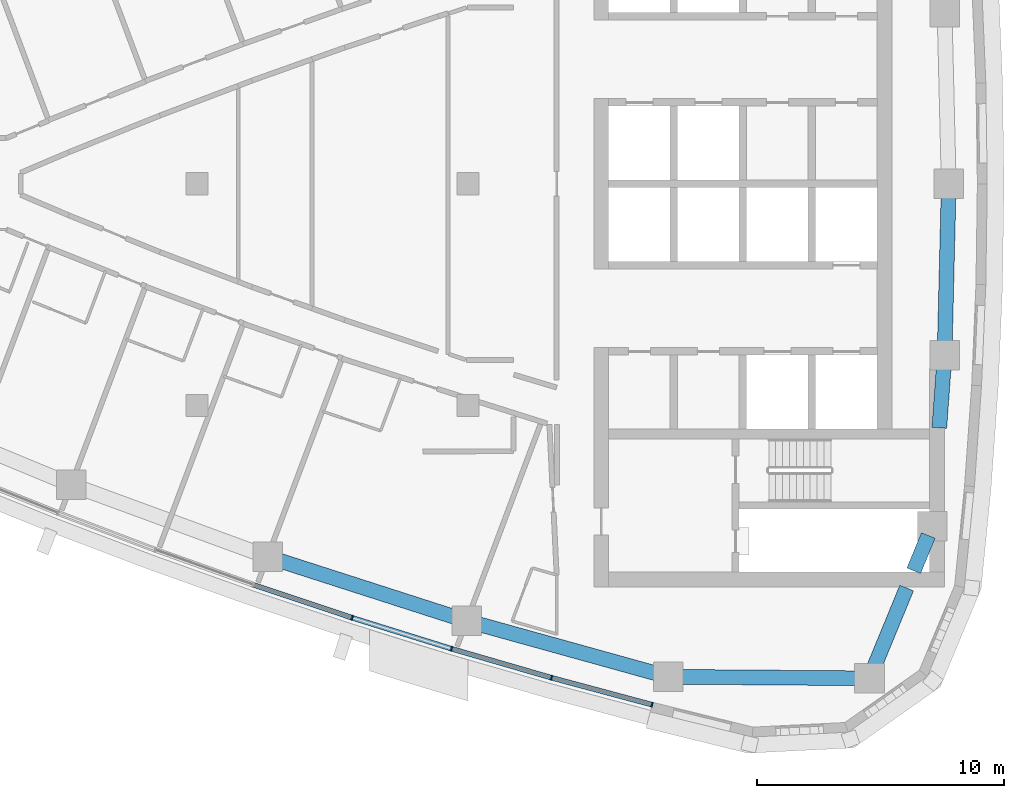
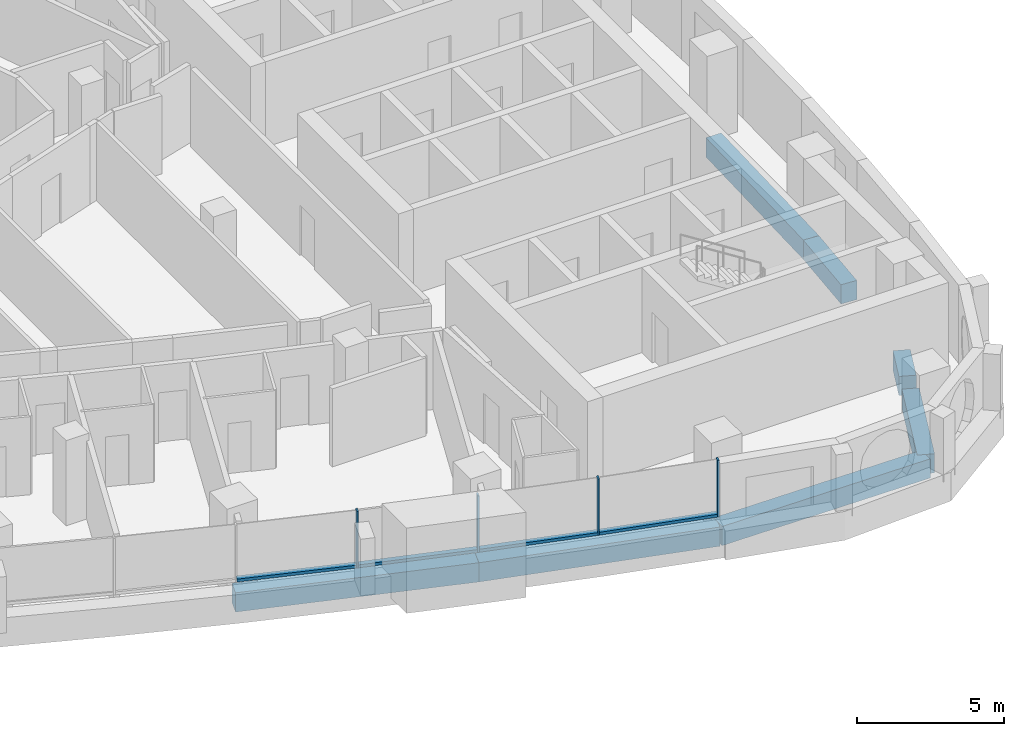
# One storey, part 4 of 16: 8 members, 7 beams, 2 elements without a shape of their own.
"""IFC4 building model written with IfcOpenShell, lengths in metres."""

import ifcopenshell
import ifcopenshell.guid

model = None  # the IFC model being written
_history = None  # IfcOwnerHistory: only IFC2X3 demands one
_inside = {}  # id of a spatial element -> (the spatial element, [elements in it])
_under = {}  # id of a project, library or spatial element -> (it, [spatial elements below it])
_declared = {}  # id of a project -> (the project, [libraries it declares])
_typed = {}  # id of a type object -> (the type object, [elements of that type])
_made_of = {}  # id of a material, layer set ... -> (it, [elements and type objects made of it])


def new_model(schema):
    """Start an empty IFC model of exactly this schema.

    Asked for "IFC4X3", IfcOpenShell would pick the latest addendum, in which some entities
    have other attributes; the version numbers below select the first issue.
    IFC2X3 requires an IfcOwnerHistory on every rooted entity: one is made here for all.
    """
    global model, _history
    if schema == "IFC4X3":
        model = ifcopenshell.file(schema_version=(4, 3, 0, 0))
    else:
        model = ifcopenshell.file(schema=schema)
    _inside.clear()
    _under.clear()
    _declared.clear()
    _typed.clear()
    _made_of.clear()
    _history = None
    if model.schema == "IFC2X3":
        org = make("IfcOrganization", Name="unknown")
        user = make(
            "IfcPersonAndOrganization",
            ThePerson=make("IfcPerson", FamilyName="unknown"),
            TheOrganization=org,
        )
        app = make(
            "IfcApplication",
            ApplicationDeveloper=org,
            Version="unknown",
            ApplicationFullName="unknown",
            ApplicationIdentifier="unknown",
        )
        _history = make(
            "IfcOwnerHistory",
            OwningUser=user,
            OwningApplication=app,
            ChangeAction="ADDED",
            CreationDate=0,
        )
    return model


def make(cls, **values):
    """One entity of the class cls with the attributes given. An attribute that is None is left unset."""
    return model.create_entity(
        cls, **{name: value for name, value in values.items() if value is not None}
    )


def rooted(cls, **values):
    """An entity with a GlobalId (a new one), such as an element, a storey or a relation."""
    return make(cls, GlobalId=ifcopenshell.guid.new(), OwnerHistory=_history, **values)


def si_unit(unit_type, name, prefix=None):
    """IfcSIUnit, for example si_unit("LENGTHUNIT", "METRE", prefix="MILLI")."""
    return make("IfcSIUnit", UnitType=unit_type, Prefix=prefix, Name=name)


def assignment(units):
    """IfcUnitAssignment: the units of a project."""
    return None if units is None else make("IfcUnitAssignment", Units=units)


def point(xyz):
    """IfcCartesianPoint."""
    return None if xyz is None else make("IfcCartesianPoint", Coordinates=xyz)


def direction(xyz):
    """IfcDirection."""
    return None if xyz is None else make("IfcDirection", DirectionRatios=xyz)


def frame(location, z_axis=None, x_axis=None):
    """IfcAxis2Placement3D, a coordinate frame: its origin and axes. An axis left out is left unset."""
    return make(
        "IfcAxis2Placement3D",
        Location=point(location),
        Axis=direction(z_axis),
        RefDirection=direction(x_axis),
    )


def frame_2d(location, x_axis=None):
    """IfcAxis2Placement2D, a coordinate frame in the plane: its origin and x axis."""
    return make(
        "IfcAxis2Placement2D", Location=point(location), RefDirection=direction(x_axis)
    )


def origin():
    """The frame at (0, 0, 0) with its axes left unset."""
    return frame((0.0, 0.0, 0.0))


def origin_2d():
    """The frame at (0, 0) in the plane with its x axis left unset."""
    return frame_2d((0.0, 0.0))


def place(relative_to, where):
    """IfcLocalPlacement: puts the frame where relative to a parent placement (None: the world)."""
    return make(
        "IfcLocalPlacement", PlacementRelTo=relative_to, RelativePlacement=where
    )


def context(
    kind, dimensions, precision=None, world=None, true_north=None, identifier=None
):
    """IfcGeometricRepresentationContext, for example the 3D "Model" context."""
    return make(
        "IfcGeometricRepresentationContext",
        ContextIdentifier=identifier,
        ContextType=kind,
        CoordinateSpaceDimension=dimensions,
        Precision=precision,
        WorldCoordinateSystem=world,
        TrueNorth=true_north,
    )


def subcontext(parent, identifier, kind, view, scale=None):
    """IfcGeometricRepresentationSubContext, for example "Body" below "Model"."""
    return make(
        "IfcGeometricRepresentationSubContext",
        ContextIdentifier=identifier,
        ContextType=kind,
        ParentContext=parent,
        TargetScale=scale,
        TargetView=view,
    )


def project(units=None, contexts=None):
    """IfcProject with its units and contexts."""
    return rooted(
        "IfcProject",
        Name="project",
        RepresentationContexts=contexts,
        UnitsInContext=assignment(units),
    )


def spatial(cls, under=None, at=None, **own):
    """A site, building, storey or space (cls), placed at a placement, below another one or the project."""
    s = rooted(cls, ObjectPlacement=at, **own)
    if under is not None:
        _under.setdefault(under.id(), (under, []))[1].append(s)
    return s


def profile(cls, at=None, kind="AREA", **sizes):
    """A parametric profile (cls). Its sizes go by their IFC names, for example OverallWidth=200.0."""
    return make(cls, ProfileType=kind, Position=at, **sizes)


def rectangle(**sizes):
    """IfcRectangleProfileDef."""
    return profile("IfcRectangleProfileDef", **sizes)


def extrude(swept, where, along, depth):
    """IfcExtrudedAreaSolid: the profile swept, set in the frame where, extruded along a direction by depth."""
    return make(
        "IfcExtrudedAreaSolid",
        SweptArea=swept,
        Position=where,
        ExtrudedDirection=direction(along),
        Depth=depth,
    )


def shape(context_of_items, identifier, shape_type, items):
    """IfcShapeRepresentation: the items that make up one representation, for example the "Body"."""
    return make(
        "IfcShapeRepresentation",
        ContextOfItems=context_of_items,
        RepresentationIdentifier=identifier,
        RepresentationType=shape_type,
        Items=items,
    )


def material(Name=None, Category=None):
    """IfcMaterial."""
    return make("IfcMaterial", Name=Name, Category=Category)


def layer(
    of_material, thickness, ventilated=None, Name=None, Category=None, Priority=None
):
    """IfcMaterialLayer: one layer of a wall or slab, of a material (None: an air gap)."""
    return make(
        "IfcMaterialLayer",
        Material=of_material,
        LayerThickness=thickness,
        IsVentilated=ventilated,
        Name=Name,
        Category=Category,
        Priority=Priority,
    )


def layer_set(layers, Name=None):
    """IfcMaterialLayerSet."""
    return make("IfcMaterialLayerSet", MaterialLayers=layers, LayerSetName=Name)


def material_profile(
    of_material, cross_section, Name=None, Category=None, Priority=None
):
    """IfcMaterialProfile: a cross section and its material."""
    return make(
        "IfcMaterialProfile",
        Name=Name,
        Material=of_material,
        Profile=cross_section,
        Priority=Priority,
        Category=Category,
    )


def profile_set(profiles, Name=None, composite=None):
    """IfcMaterialProfileSet."""
    return make(
        "IfcMaterialProfileSet",
        Name=Name,
        MaterialProfiles=profiles,
        CompositeProfile=composite,
    )


def made_of(thing, what):
    """Note that an element or type object is made of a material, layer set ...; save() writes the relation."""
    if what is not None:
        _made_of.setdefault(what.id(), (what, []))[1].append(thing)
    return thing


def type_object(cls, material=None, **own):
    """A type object (cls), such as IfcWallType, which elements share."""
    return made_of(rooted(cls, **own), material)


def element(
    cls,
    number,
    at=None,
    inside=None,
    cuts=None,
    type_object=None,
    material=None,
    context=None,
    identifier="Body",
    shape_type=None,
    held_by="IfcProductDefinitionShape",
    body=None,
    shapes=None,
    **own,
):
    """One element of the class cls, such as IfcWall. Its Tag is "e" and its number.

    at: its placement. inside: the storey or other place that contains it. cuts: it is an
    opening in that element (IfcRelVoidsElement). A single representation is given by context,
    identifier, shape_type and body (its items); several are given by shapes. held_by: the class
    of the entity that holds the representations. save() writes the other relations.
    """
    e = rooted(cls, Tag="e%d" % number, ObjectPlacement=at, **own)
    if body is not None:
        shapes = [shape(context, identifier, shape_type, body)]
    if shapes is not None:
        e.Representation = make(held_by, Representations=shapes)
    if inside is not None:
        _inside.setdefault(inside.id(), (inside, []))[1].append(e)
    if cuts is not None:
        rooted(
            "IfcRelVoidsElement", RelatingBuildingElement=cuts, RelatedOpeningElement=e
        )
    if type_object is not None:
        _typed.setdefault(type_object.id(), (type_object, []))[1].append(e)
    return made_of(e, material)


def aggregate(whole, parts):
    """IfcRelAggregates: a whole, such as a stair, and the parts it consists of."""
    return rooted("IfcRelAggregates", RelatingObject=whole, RelatedObjects=parts)


def save(model, path):
    """Write the relations noted so far, then the file.

    IfcRelAggregates (storeys below a building ...), IfcRelContainedInSpatialStructure (elements
    in a storey), IfcRelDefinesByType, IfcRelAssociatesMaterial and IfcRelDeclares: one each for
    every whole, place, type object, material and project.
    """
    for whole, parts in _under.values():
        aggregate(whole, parts)
    for where, things in _inside.values():
        rooted(
            "IfcRelContainedInSpatialStructure",
            RelatedElements=things,
            RelatingStructure=where,
        )
    for kind, things in _typed.values():
        rooted("IfcRelDefinesByType", RelatedObjects=things, RelatingType=kind)
    for what, things in _made_of.values():
        rooted("IfcRelAssociatesMaterial", RelatedObjects=things, RelatingMaterial=what)
    for by, libraries in _declared.values():
        rooted("IfcRelDeclares", RelatingContext=by, RelatedDefinitions=libraries)
    model.write(path)


model = new_model("IFC4")

# Units and contexts
model_context = context("Model", 3, precision=1e-05, world=origin(), true_north=direction((0.0, 1.0)))
body_context = subcontext(model_context, "Body", "Model", "MODEL_VIEW")
ifc_project = project(units=[si_unit("LENGTHUNIT", "METRE"), si_unit("AREAUNIT", "SQUARE_METRE"), si_unit("VOLUMEUNIT", "CUBIC_METRE"), si_unit("PLANEANGLEUNIT", "RADIAN"), si_unit("MASSUNIT", "GRAM", prefix="KILO")], contexts=[model_context])

# Site, building, storey
site_placement = place(None, origin())
site = spatial("IfcSite", under=ifc_project, at=site_placement, CompositionType="ELEMENT")
building_placement = place(site_placement, origin())
building = spatial("IfcBuilding", under=site, at=building_placement, Name="Ostrand Prow Hotel Tower", CompositionType="ELEMENT")
storey_placement = place(building_placement, frame((0.0, 0.0, 245.64990234375)))
storey = spatial("IfcBuildingStorey", under=building, at=storey_placement, Name="L62", CompositionType="ELEMENT", Elevation=245.64990234375)

# Beams
ifc_material_1 = material(Name="Concrete C50/60", Category="concrete")
ifc_material_profile_1 = material_profile(ifc_material_1, rectangle(XDim=0.60009765625, YDim=0.800048828125, at=origin_2d()), Name="RC 600x800")
ifc_profile_set_1 = profile_set([ifc_material_profile_1], Name="Concrete C50/60")
beam_type = type_object("IfcBeamType", Name="Edge beam 600x800 C50/60", PredefinedType="SPANDREL", material=ifc_profile_set_1)
for number, where, z_axis, x_axis, name in (
    (1, (36.8671875, -15.131591796875, -0.699951171875), (0.95193933362, -0.306286638798, 0.0), (0.306286638798, 0.95193933362, 0.0), "Edge beam S4-S5"),
    (2, (44.94677734375, -17.731201171875, -0.699951171875), (0.963625802813, -0.267255144297, 0.0), (0.267255144297, 0.963625802813, 0.0), "Edge beam S5-S6"),
):
    element("IfcBeam", number, at=place(storey_placement, frame(where, z_axis=z_axis, x_axis=x_axis)), inside=storey, type_object=beam_type, Name=name, PredefinedType="SPANDREL", context=body_context, shape_type="SweptSolid", body=[
        extrude(rectangle(XDim=0.60009765625, YDim=0.800048828125, at=origin_2d()), origin(), (0.0, 0.0, 1.0), 8.487548828125),
    ])
beam_1_placement = place(storey_placement, frame((53.12548828125, -19.99951171875, -0.699951171875), z_axis=(0.999970657582, -0.007660546678, 0.0), x_axis=(0.007660546678, 0.999970657582, 0.0)))
element("IfcBeam", 3, at=beam_1_placement, inside=storey, type_object=beam_type, Name="Edge beam S6-SE", PredefinedType="SPANDREL", context=body_context, shape_type="SweptSolid", body=[
    extrude(rectangle(XDim=0.60009765625, YDim=0.800048828125, at=origin_2d()), origin(), (0.0, 0.0, 1.0), 8.15869140625),
])
beam_2_placement = place(storey_placement, frame((61.283935546875, -20.06201171875, -0.699951171875), z_axis=(0.380777709221, 0.924666608114, 0.0), x_axis=(-0.924666608114, 0.380777709221, 0.0)))
element("IfcBeam", 4, at=beam_2_placement, inside=storey, type_object=beam_type, Name="Edge beam SE-B1", PredefinedType="SPANDREL", context=body_context, shape_type="SweptSolid", body=[
    extrude(rectangle(XDim=0.60009765625, YDim=0.800048828125, at=origin_2d()), origin(), (0.0, 0.0, 1.0), 3.96044921875),
])
beam_3_placement = place(storey_placement, frame((63.080078125, -15.699951171875, -0.699951171875), z_axis=(0.380773585759, 0.924668306145, 0.0), x_axis=(-0.924668306145, 0.380773585759, 0.0)))
element("IfcBeam", 5, at=beam_3_placement, inside=storey, type_object=beam_type, Name="Edge beam SE-B1", PredefinedType="SPANDREL", context=body_context, shape_type="SweptSolid", body=[
    extrude(rectangle(XDim=0.60009765625, YDim=0.800048828125, at=origin_2d()), origin(), (0.0, 0.0, 1.0), 1.549072265625),
])
beam_4_placement = place(storey_placement, frame((64.11669921875, -9.89990234375, -0.699951171875), z_axis=(0.072691068771, 0.997354504938, 0.0), x_axis=(-0.997354504938, 0.072691068771, 0.0)))
element("IfcBeam", 6, at=beam_4_placement, inside=storey, type_object=beam_type, Name="Edge beam B1-B2", PredefinedType="SPANDREL", context=body_context, shape_type="SweptSolid", body=[
    extrude(rectangle(XDim=0.60009765625, YDim=0.800048828125, at=origin_2d()), origin(), (0.0, 0.0, 1.0), 2.95556640625),
])
beam_5_placement = place(storey_placement, frame((64.33154296875, -6.9521484375, -0.699951171875), z_axis=(0.024223820991, 0.999706560195, 0.0), x_axis=(-0.999706560195, 0.024223820991, 0.0)))
element("IfcBeam", 7, at=beam_5_placement, inside=storey, type_object=beam_type, Name="Edge beam B2-B3", PredefinedType="SPANDREL", context=body_context, shape_type="SweptSolid", body=[
    extrude(rectangle(XDim=0.60009765625, YDim=0.800048828125, at=origin_2d()), origin(), (0.0, 0.0, 1.0), 6.9541015625),
])

# Curtain wall, members
ifc_material_2 = material(Name="Insulated glass in bronze anodised frame", Category="glass")
ifc_layer = layer(ifc_material_2, 0.199951171875)
ifc_layer_set = layer_set([ifc_layer], Name="Insulated glass in bronze anodised frame")
curtain_wall_type = type_object("IfcCurtainWallType", Name="Strip curtain wall, fritted glass over bronze spandrel", PredefinedType="NOTDEFINED", material=ifc_layer_set)
curtain_wall_1_placement = place(storey_placement, origin())
curtain_wall_1 = element("IfcCurtainWall", 8, at=curtain_wall_1_placement, inside=storey, type_object=curtain_wall_type, Name="CW1 run CWS4", PredefinedType="NOTDEFINED")
ifc_material_3 = material(Name="Bronze anodised aluminium", Category="aluminium")
ifc_material_profile_2 = material_profile(ifc_material_3, rectangle(XDim=0.199951171875, YDim=0.06005859375, at=origin_2d()), Name="Mullion 60x200 bronze anodised aluminium")
ifc_profile_set_2 = profile_set([ifc_material_profile_2], Name="Bronze anodised aluminium")
member_type_1 = type_object("IfcMemberType", Name="Mullion 60x200 bronze anodised aluminium", PredefinedType="MULLION", material=ifc_profile_set_2)
member_1_placement = place(storey_placement, frame((40.297119140625, -17.605712890625, 0.900146484375), z_axis=(0.0, 0.0, 1.0), x_axis=(0.297678138765, 0.95466629023, 0.0)))
member_1 = element("IfcMember", 9, at=member_1_placement, type_object=member_type_1, Name="CW1 mullion 2", PredefinedType="MULLION", context=body_context, shape_type="SweptSolid", body=[
    extrude(rectangle(XDim=0.199951171875, YDim=0.06005859375, at=origin_2d()), origin(), (0.0, 0.0, 1.0), 2.349853515625),
])
member_2_placement = place(storey_placement, frame((44.3291015625, -18.863037109375, 0.900146484375), z_axis=(0.0, 0.0, 1.0), x_axis=(0.297678138765, 0.95466629023, 0.0)))
member_2 = element("IfcMember", 10, at=member_2_placement, type_object=member_type_1, Name="CW1 mullion 3", PredefinedType="MULLION", context=body_context, shape_type="SweptSolid", body=[
    extrude(rectangle(XDim=0.199951171875, YDim=0.06005859375, at=origin_2d()), origin(), (0.0, 0.0, 1.0), 2.349853515625),
])

curtain_wall_2_placement = place(storey_placement, origin())
curtain_wall_2 = element("IfcCurtainWall", 11, at=curtain_wall_2_placement, inside=storey, type_object=curtain_wall_type, Name="CW1 run CWS5", PredefinedType="NOTDEFINED")
member_3_placement = place(storey_placement, frame((48.385986328125, -20.038818359375, 0.900146484375), z_axis=(0.0, 0.0, 1.0), x_axis=(0.258994370132, 0.965878831034, 0.0)))
member_3 = element("IfcMember", 12, at=member_3_placement, type_object=member_type_1, Name="CW1 mullion 2", PredefinedType="MULLION", context=body_context, shape_type="SweptSolid", body=[
    extrude(rectangle(XDim=0.199951171875, YDim=0.06005859375, at=origin_2d()), origin(), (0.0, 0.0, 1.0), 2.349853515625),
])
member_4_placement = place(storey_placement, frame((52.465576171875, -21.1328125, 0.900146484375), z_axis=(0.0, 0.0, 1.0), x_axis=(0.258994370132, 0.965878831034, 0.0)))
member_4 = element("IfcMember", 13, at=member_4_placement, type_object=member_type_1, Name="CW1 mullion 3", PredefinedType="MULLION", context=body_context, shape_type="SweptSolid", body=[
    extrude(rectangle(XDim=0.199951171875, YDim=0.06005859375, at=origin_2d()), origin(), (0.0, 0.0, 1.0), 2.349853515625),
])

# Member
ifc_material_4 = material(Name="Bronze anodised aluminium", Category="aluminium")
ifc_material_profile_3 = material_profile(ifc_material_4, rectangle(XDim=0.199951171875, YDim=0.1201171875, at=origin_2d()), Name="Transom 120x200 bronze anodised aluminium")
ifc_profile_set_3 = profile_set([ifc_material_profile_3], Name="Bronze anodised aluminium")
member_type_2 = type_object("IfcMemberType", Name="Transom 120x200 bronze anodised aluminium", PredefinedType="USERDEFINED", material=ifc_profile_set_3)
member_5_placement = place(storey_placement, frame((36.3193359375, -16.277099609375, 0.960205078125), z_axis=(0.948489622939, -0.316808199353, 0.0), x_axis=(0.316808199353, 0.948489622939, 0.0)))
member_5 = element("IfcMember", 14, at=member_5_placement, type_object=member_type_2, Name="CW1 transom 1.1", ObjectType="TRANSOM", PredefinedType="USERDEFINED", context=body_context, shape_type="SweptSolid", body=[
    extrude(rectangle(XDim=0.199951171875, YDim=0.1201171875, at=origin_2d()), origin(), (0.0, 0.0, 1.0), 4.16357421875),
])

member_6_placement = place(storey_placement, frame((40.32568359375, -17.61474609375, 0.960205078125), z_axis=(0.954676966691, -0.297643896746, 0.0), x_axis=(0.297643896746, 0.954676966691, 0.0)))
member_6 = element("IfcMember", 15, at=member_6_placement, type_object=member_type_2, Name="CW1 transom 2.1", ObjectType="TRANSOM", PredefinedType="USERDEFINED", context=body_context, shape_type="SweptSolid", body=[
    extrude(rectangle(XDim=0.199951171875, YDim=0.1201171875, at=origin_2d()), origin(), (0.0, 0.0, 1.0), 4.16357421875),
])

aggregate(curtain_wall_1, [member_1, member_2, member_5, member_6])

member_7_placement = place(storey_placement, frame((44.35791015625, -18.871337890625, 0.960205078125), z_axis=(0.960468183791, -0.278389776976, 0.0), x_axis=(0.278389776976, 0.960468183791, 0.0)))
member_7 = element("IfcMember", 16, at=member_7_placement, type_object=member_type_2, Name="CW1 transom 1.1", ObjectType="TRANSOM", PredefinedType="USERDEFINED", context=body_context, shape_type="SweptSolid", body=[
    extrude(rectangle(XDim=0.199951171875, YDim=0.1201171875, at=origin_2d()), origin(), (0.0, 0.0, 1.0), 4.163818359375),
])

member_8_placement = place(storey_placement, frame((48.4150390625, -20.046630859375, 0.960205078125), z_axis=(0.96587683346, -0.259001819657, 0.0), x_axis=(0.259001819657, 0.96587683346, 0.0)))
member_8 = element("IfcMember", 17, at=member_8_placement, type_object=member_type_2, Name="CW1 transom 2.1", ObjectType="TRANSOM", PredefinedType="USERDEFINED", context=body_context, shape_type="SweptSolid", body=[
    extrude(rectangle(XDim=0.199951171875, YDim=0.1201171875, at=origin_2d()), origin(), (0.0, 0.0, 1.0), 4.16357421875),
])

aggregate(curtain_wall_2, [member_3, member_4, member_7, member_8])

save(model, "model.ifc")
